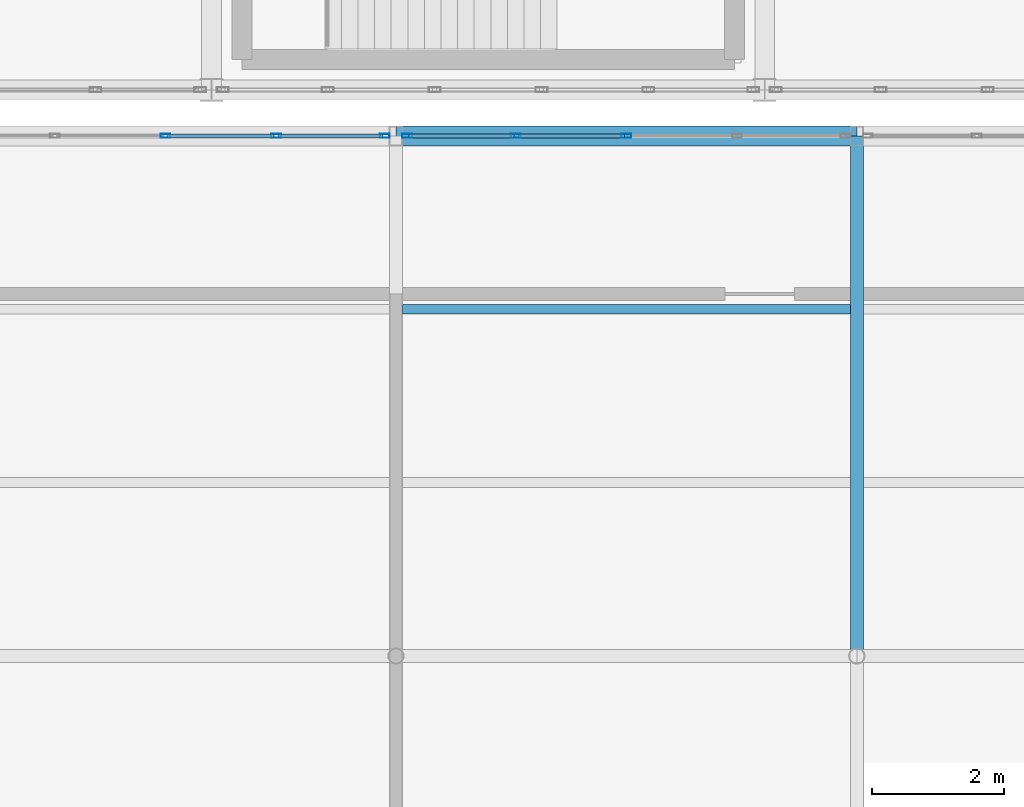
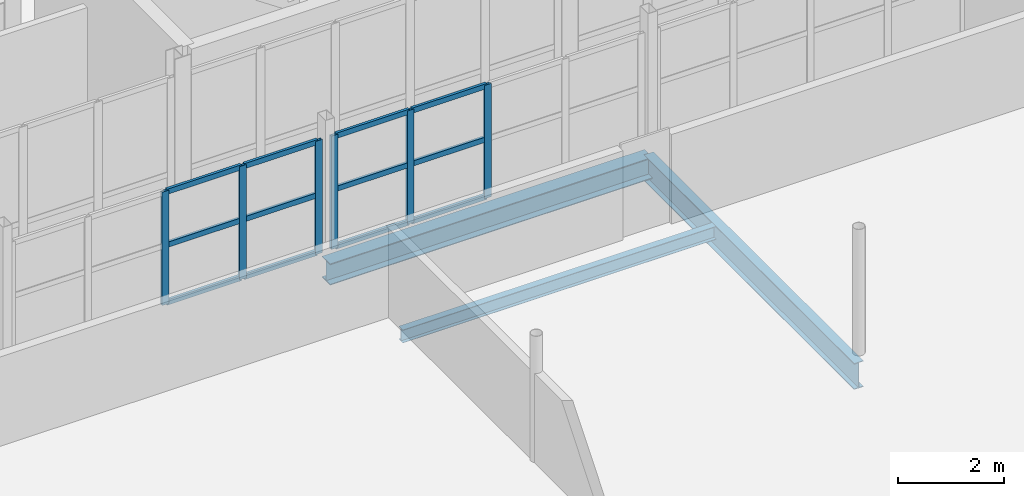
# One storey, part 103 of 218: 18 members, 3 beams, 2 elements without a shape of their own.
"""IFC4 building model written with IfcOpenShell, lengths in metres."""

from ifc_helpers import new_model, si_unit, direction, frame, origin, origin_2d, place, context, subcontext, project, spatial, hollow_rectangle, i_section, extrude, material, material_profile, profile_set, type_object, element, aggregate, save


model = new_model("IFC4")

# Units and contexts
model_context = context("Model", 3, precision=1e-05, world=origin(), true_north=direction((0.0, 1.0)))
body_context = subcontext(model_context, "Body", "Model", "MODEL_VIEW")
ifc_project = project(units=[si_unit("LENGTHUNIT", "METRE"), si_unit("AREAUNIT", "SQUARE_METRE"), si_unit("VOLUMEUNIT", "CUBIC_METRE"), si_unit("PLANEANGLEUNIT", "RADIAN"), si_unit("MASSUNIT", "GRAM", prefix="KILO")], contexts=[model_context])

# Site, building, storey
site_placement = place(None, origin())
site = spatial("IfcSite", under=ifc_project, at=site_placement, CompositionType="ELEMENT")
building_placement = place(site_placement, origin())
building = spatial("IfcBuilding", under=site, at=building_placement, Name="Kazenagashi Tramway Depot", CompositionType="ELEMENT")
storey_placement = place(building_placement, frame((0.0, 0.0, 6.0)))
storey = spatial("IfcBuildingStorey", under=building, at=storey_placement, Name="L02", CompositionType="ELEMENT", Elevation=6.0)

# Beams
ifc_material_1 = material(Name="Steel SN490B", Category="steel")
ifc_material_profile_1 = material_profile(ifc_material_1, i_section(OverallWidth=0.2, OverallDepth=0.6, WebThickness=0.011, FlangeThickness=0.017, at=origin_2d()), Name="H-600x200x11x17")
ifc_profile_set_1 = profile_set([ifc_material_profile_1], Name="Steel SN490B")
beam_type_1 = type_object("IfcBeamType", Name="G-03", PredefinedType="BEAM", material=ifc_profile_set_1)
beam_1_placement = place(storey_placement, frame((138.6, 7.9, -0.525), z_axis=(0.0, 1.0, 0.0), x_axis=(-1.0, 0.0, 0.0)))
element("IfcBeam", 1, at=beam_1_placement, inside=storey, type_object=beam_type_1, Name="Beam G-03 BM-1640", PredefinedType="BEAM", context=body_context, shape_type="SweptSolid", body=[
    extrude(i_section(OverallWidth=0.2, OverallDepth=0.6, WebThickness=0.011, FlangeThickness=0.017, at=origin_2d()), origin(), (0.0, 0.0, 1.0), 7.9),
])
ifc_material_2 = material(Name="Steel SN400B", Category="steel")
ifc_material_profile_2 = material_profile(ifc_material_2, i_section(OverallWidth=0.15, OverallDepth=0.3, WebThickness=0.0065, FlangeThickness=0.009, at=origin_2d()), Name="H-300x150x6.5x9")
ifc_profile_set_2 = profile_set([ifc_material_profile_2], Name="Steel SN400B")
beam_type_2 = type_object("IfcBeamType", Name="J-02", PredefinedType="JOIST", material=ifc_profile_set_2)
beam_2_placement = place(storey_placement, frame((131.7, 13.167, -0.375), z_axis=(1.0, 0.0, 0.0), x_axis=(0.0, 1.0, 0.0)))
element("IfcBeam", 2, at=beam_2_placement, inside=storey, type_object=beam_type_2, Name="Beam J-02 BM-1636", PredefinedType="JOIST", context=body_context, shape_type="SweptSolid", body=[
    extrude(i_section(OverallWidth=0.15, OverallDepth=0.3, WebThickness=0.0065, FlangeThickness=0.009, at=origin_2d()), origin(), (0.0, 0.0, 1.0), 6.8),
])

# Curtain wall, members
ifc_material_3 = material(Name="Anodised Aluminium and Low-E Glazing", Category="aluminium")
curtain_wall_type = type_object("IfcCurtainWallType", Name="CW-32", PredefinedType="USERDEFINED", material=ifc_material_3)
curtain_wall_1_placement = place(storey_placement, origin())
curtain_wall_1 = element("IfcCurtainWall", 3, at=curtain_wall_1_placement, inside=storey, type_object=curtain_wall_type, Name="Industrial Glazed Screen CW-32 CW-0177", ObjectType="GLAZED SCREEN", PredefinedType="USERDEFINED")
ifc_material_4 = material(Name="Anodised Aluminium", Category="aluminium")
ifc_material_profile_3 = material_profile(ifc_material_4, hollow_rectangle(XDim=0.06, YDim=0.15, WallThickness=0.004, at=origin_2d()), Name="RHS-150x60x4")
ifc_profile_set_3 = profile_set([ifc_material_profile_3], Name="Anodised Aluminium")
member_type_1 = type_object("IfcMemberType", Name="ML-01", PredefinedType="MULLION", material=ifc_profile_set_3)
member_1_placement = place(storey_placement, frame((128.1, 15.8, 0.0), z_axis=(0.0, 0.0, 1.0), x_axis=(0.0, 1.0, 0.0)))
member_1 = element("IfcMember", 4, at=member_1_placement, type_object=member_type_1, Name="CW-32 mullion 3", PredefinedType="MULLION", context=body_context, shape_type="SweptSolid", body=[
    extrude(hollow_rectangle(XDim=0.06, YDim=0.15, WallThickness=0.004, at=origin_2d()), origin(), (0.0, 0.0, 1.0), 2.6),
])
member_2_placement = place(storey_placement, frame((129.78, 15.8, 0.0), z_axis=(0.0, 0.0, 1.0), x_axis=(0.0, 1.0, 0.0)))
member_2 = element("IfcMember", 5, at=member_2_placement, type_object=member_type_1, Name="CW-32 mullion 4", PredefinedType="MULLION", context=body_context, shape_type="SweptSolid", body=[
    extrude(hollow_rectangle(XDim=0.06, YDim=0.15, WallThickness=0.004, at=origin_2d()), origin(), (0.0, 0.0, 1.0), 2.6),
])
member_3_placement = place(storey_placement, frame((131.43, 15.8, 0.0), z_axis=(0.0, 0.0, 1.0), x_axis=(0.0, 1.0, 0.0)))
member_3 = element("IfcMember", 6, at=member_3_placement, type_object=member_type_1, Name="CW-32 mullion 5", PredefinedType="MULLION", context=body_context, shape_type="SweptSolid", body=[
    extrude(hollow_rectangle(XDim=0.06, YDim=0.15, WallThickness=0.004, at=origin_2d()), origin(), (0.0, 0.0, 1.0), 2.6),
])

curtain_wall_2_placement = place(storey_placement, origin())
curtain_wall_2 = element("IfcCurtainWall", 7, at=curtain_wall_2_placement, inside=storey, type_object=curtain_wall_type, Name="Industrial Glazed Screen CW-32 CW-0178", ObjectType="GLAZED SCREEN", PredefinedType="USERDEFINED")
member_4_placement = place(storey_placement, frame((131.77, 15.8, 0.0), z_axis=(0.0, 0.0, 1.0), x_axis=(0.0, 1.0, 0.0)))
member_4 = element("IfcMember", 8, at=member_4_placement, type_object=member_type_1, Name="CW-32 mullion 1", PredefinedType="MULLION", context=body_context, shape_type="SweptSolid", body=[
    extrude(hollow_rectangle(XDim=0.06, YDim=0.15, WallThickness=0.004, at=origin_2d()), origin(), (0.0, 0.0, 1.0), 2.6),
])
member_5_placement = place(storey_placement, frame((133.42, 15.8, 0.0), z_axis=(0.0, 0.0, 1.0), x_axis=(0.0, 1.0, 0.0)))
member_5 = element("IfcMember", 9, at=member_5_placement, type_object=member_type_1, Name="CW-32 mullion 2", PredefinedType="MULLION", context=body_context, shape_type="SweptSolid", body=[
    extrude(hollow_rectangle(XDim=0.06, YDim=0.15, WallThickness=0.004, at=origin_2d()), origin(), (0.0, 0.0, 1.0), 2.6),
])
member_6_placement = place(storey_placement, frame((135.1, 15.8, 0.0), z_axis=(0.0, 0.0, 1.0), x_axis=(0.0, 1.0, 0.0)))
member_6 = element("IfcMember", 10, at=member_6_placement, type_object=member_type_1, Name="CW-32 mullion 3", PredefinedType="MULLION", context=body_context, shape_type="SweptSolid", body=[
    extrude(hollow_rectangle(XDim=0.06, YDim=0.15, WallThickness=0.004, at=origin_2d()), origin(), (0.0, 0.0, 1.0), 2.6),
])

# Beam
ifc_material_profile_4 = material_profile(ifc_material_1, i_section(OverallWidth=0.3, OverallDepth=0.488, WebThickness=0.011, FlangeThickness=0.018, at=origin_2d()), Name="H-488x300x11x18")
ifc_profile_set_4 = profile_set([ifc_material_profile_4], Name="Steel SN490B")
beam_type_3 = type_object("IfcBeamType", Name="SP-02", PredefinedType="SPANDREL", material=ifc_profile_set_4)
beam_3_placement = place(storey_placement, frame((131.6, 15.8, -0.469), z_axis=(1.0, 0.0, 0.0), x_axis=(0.0, 1.0, 0.0)))
element("IfcBeam", 11, at=beam_3_placement, inside=storey, type_object=beam_type_3, Name="Beam SP-02 BM-1606", PredefinedType="SPANDREL", context=body_context, shape_type="SweptSolid", body=[
    extrude(i_section(OverallWidth=0.3, OverallDepth=0.488, WebThickness=0.011, FlangeThickness=0.018, at=origin_2d()), origin(), (0.0, 0.0, 1.0), 7.0),
])

# Member
ifc_material_profile_5 = material_profile(ifc_material_4, hollow_rectangle(XDim=0.06, YDim=0.12, WallThickness=0.004, at=origin_2d()), Name="RHS-120x60x4")
ifc_profile_set_5 = profile_set([ifc_material_profile_5], Name="Anodised Aluminium")
member_type_2 = type_object("IfcMemberType", Name="TR-01", PredefinedType="USERDEFINED", material=ifc_profile_set_5)
member_7_placement = place(storey_placement, frame((128.13, 15.8, 0.03), z_axis=(1.0, 0.0, 0.0), x_axis=(0.0, 1.0, 0.0)))
member_7 = element("IfcMember", 12, at=member_7_placement, type_object=member_type_2, Name="CW-32 transom 3.1", ObjectType="TRANSOM", PredefinedType="USERDEFINED", context=body_context, shape_type="SweptSolid", body=[
    extrude(hollow_rectangle(XDim=0.06, YDim=0.12, WallThickness=0.004, at=origin_2d()), origin(), (0.0, 0.0, 1.0), 1.62),
])

member_8_placement = place(storey_placement, frame((128.13, 15.8, 1.352), z_axis=(1.0, 0.0, 0.0), x_axis=(0.0, 1.0, 0.0)))
member_8 = element("IfcMember", 13, at=member_8_placement, type_object=member_type_2, Name="CW-32 transom 3.2", ObjectType="TRANSOM", PredefinedType="USERDEFINED", context=body_context, shape_type="SweptSolid", body=[
    extrude(hollow_rectangle(XDim=0.06, YDim=0.12, WallThickness=0.004, at=origin_2d()), origin(), (0.0, 0.0, 1.0), 1.62),
])

member_9_placement = place(storey_placement, frame((128.13, 15.8, 2.57), z_axis=(1.0, 0.0, 0.0), x_axis=(0.0, 1.0, 0.0)))
member_9 = element("IfcMember", 14, at=member_9_placement, type_object=member_type_2, Name="CW-32 transom 3.3", ObjectType="TRANSOM", PredefinedType="USERDEFINED", context=body_context, shape_type="SweptSolid", body=[
    extrude(hollow_rectangle(XDim=0.06, YDim=0.12, WallThickness=0.004, at=origin_2d()), origin(), (0.0, 0.0, 1.0), 1.62),
])

member_10_placement = place(storey_placement, frame((129.81, 15.8, 0.03), z_axis=(1.0, 0.0, 0.0), x_axis=(0.0, 1.0, 0.0)))
member_10 = element("IfcMember", 15, at=member_10_placement, type_object=member_type_2, Name="CW-32 transom 4.1", ObjectType="TRANSOM", PredefinedType="USERDEFINED", context=body_context, shape_type="SweptSolid", body=[
    extrude(hollow_rectangle(XDim=0.06, YDim=0.12, WallThickness=0.004, at=origin_2d()), origin(), (0.0, 0.0, 1.0), 1.59),
])

member_11_placement = place(storey_placement, frame((129.81, 15.8, 1.352), z_axis=(1.0, 0.0, 0.0), x_axis=(0.0, 1.0, 0.0)))
member_11 = element("IfcMember", 16, at=member_11_placement, type_object=member_type_2, Name="CW-32 transom 4.2", ObjectType="TRANSOM", PredefinedType="USERDEFINED", context=body_context, shape_type="SweptSolid", body=[
    extrude(hollow_rectangle(XDim=0.06, YDim=0.12, WallThickness=0.004, at=origin_2d()), origin(), (0.0, 0.0, 1.0), 1.59),
])

member_12_placement = place(storey_placement, frame((129.81, 15.8, 2.57), z_axis=(1.0, 0.0, 0.0), x_axis=(0.0, 1.0, 0.0)))
member_12 = element("IfcMember", 17, at=member_12_placement, type_object=member_type_2, Name="CW-32 transom 4.3", ObjectType="TRANSOM", PredefinedType="USERDEFINED", context=body_context, shape_type="SweptSolid", body=[
    extrude(hollow_rectangle(XDim=0.06, YDim=0.12, WallThickness=0.004, at=origin_2d()), origin(), (0.0, 0.0, 1.0), 1.59),
])

aggregate(curtain_wall_1, [member_1, member_2, member_3, member_7, member_8, member_9, member_10, member_11, member_12])

member_13_placement = place(storey_placement, frame((131.8, 15.8, 0.03), z_axis=(1.0, 0.0, 0.0), x_axis=(0.0, 1.0, 0.0)))
member_13 = element("IfcMember", 18, at=member_13_placement, type_object=member_type_2, Name="CW-32 transom 1.1", ObjectType="TRANSOM", PredefinedType="USERDEFINED", context=body_context, shape_type="SweptSolid", body=[
    extrude(hollow_rectangle(XDim=0.06, YDim=0.12, WallThickness=0.004, at=origin_2d()), origin(), (0.0, 0.0, 1.0), 1.59),
])

member_14_placement = place(storey_placement, frame((131.8, 15.8, 1.352), z_axis=(1.0, 0.0, 0.0), x_axis=(0.0, 1.0, 0.0)))
member_14 = element("IfcMember", 19, at=member_14_placement, type_object=member_type_2, Name="CW-32 transom 1.2", ObjectType="TRANSOM", PredefinedType="USERDEFINED", context=body_context, shape_type="SweptSolid", body=[
    extrude(hollow_rectangle(XDim=0.06, YDim=0.12, WallThickness=0.004, at=origin_2d()), origin(), (0.0, 0.0, 1.0), 1.59),
])

member_15_placement = place(storey_placement, frame((131.8, 15.8, 2.57), z_axis=(1.0, 0.0, 0.0), x_axis=(0.0, 1.0, 0.0)))
member_15 = element("IfcMember", 20, at=member_15_placement, type_object=member_type_2, Name="CW-32 transom 1.3", ObjectType="TRANSOM", PredefinedType="USERDEFINED", context=body_context, shape_type="SweptSolid", body=[
    extrude(hollow_rectangle(XDim=0.06, YDim=0.12, WallThickness=0.004, at=origin_2d()), origin(), (0.0, 0.0, 1.0), 1.59),
])

member_16_placement = place(storey_placement, frame((133.45, 15.8, 0.03), z_axis=(1.0, 0.0, 0.0), x_axis=(0.0, 1.0, 0.0)))
member_16 = element("IfcMember", 21, at=member_16_placement, type_object=member_type_2, Name="CW-32 transom 2.1", ObjectType="TRANSOM", PredefinedType="USERDEFINED", context=body_context, shape_type="SweptSolid", body=[
    extrude(hollow_rectangle(XDim=0.06, YDim=0.12, WallThickness=0.004, at=origin_2d()), origin(), (0.0, 0.0, 1.0), 1.62),
])

member_17_placement = place(storey_placement, frame((133.45, 15.8, 1.352), z_axis=(1.0, 0.0, 0.0), x_axis=(0.0, 1.0, 0.0)))
member_17 = element("IfcMember", 22, at=member_17_placement, type_object=member_type_2, Name="CW-32 transom 2.2", ObjectType="TRANSOM", PredefinedType="USERDEFINED", context=body_context, shape_type="SweptSolid", body=[
    extrude(hollow_rectangle(XDim=0.06, YDim=0.12, WallThickness=0.004, at=origin_2d()), origin(), (0.0, 0.0, 1.0), 1.62),
])

member_18_placement = place(storey_placement, frame((133.45, 15.8, 2.57), z_axis=(1.0, 0.0, 0.0), x_axis=(0.0, 1.0, 0.0)))
member_18 = element("IfcMember", 23, at=member_18_placement, type_object=member_type_2, Name="CW-32 transom 2.3", ObjectType="TRANSOM", PredefinedType="USERDEFINED", context=body_context, shape_type="SweptSolid", body=[
    extrude(hollow_rectangle(XDim=0.06, YDim=0.12, WallThickness=0.004, at=origin_2d()), origin(), (0.0, 0.0, 1.0), 1.62),
])

aggregate(curtain_wall_2, [member_4, member_5, member_6, member_13, member_14, member_15, member_16, member_17, member_18])

save(model, "model.ifc")
